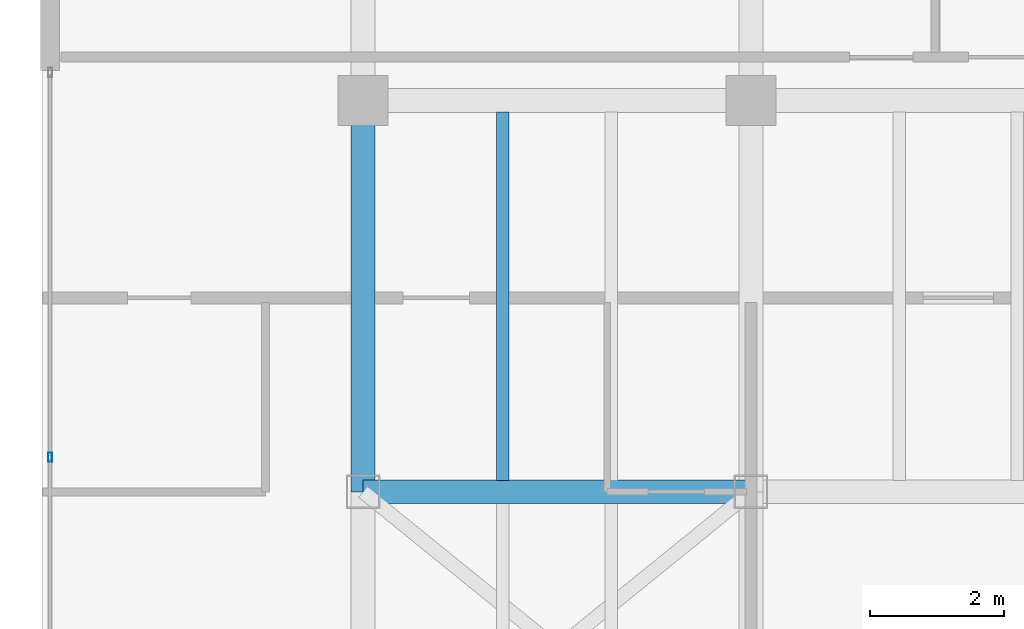
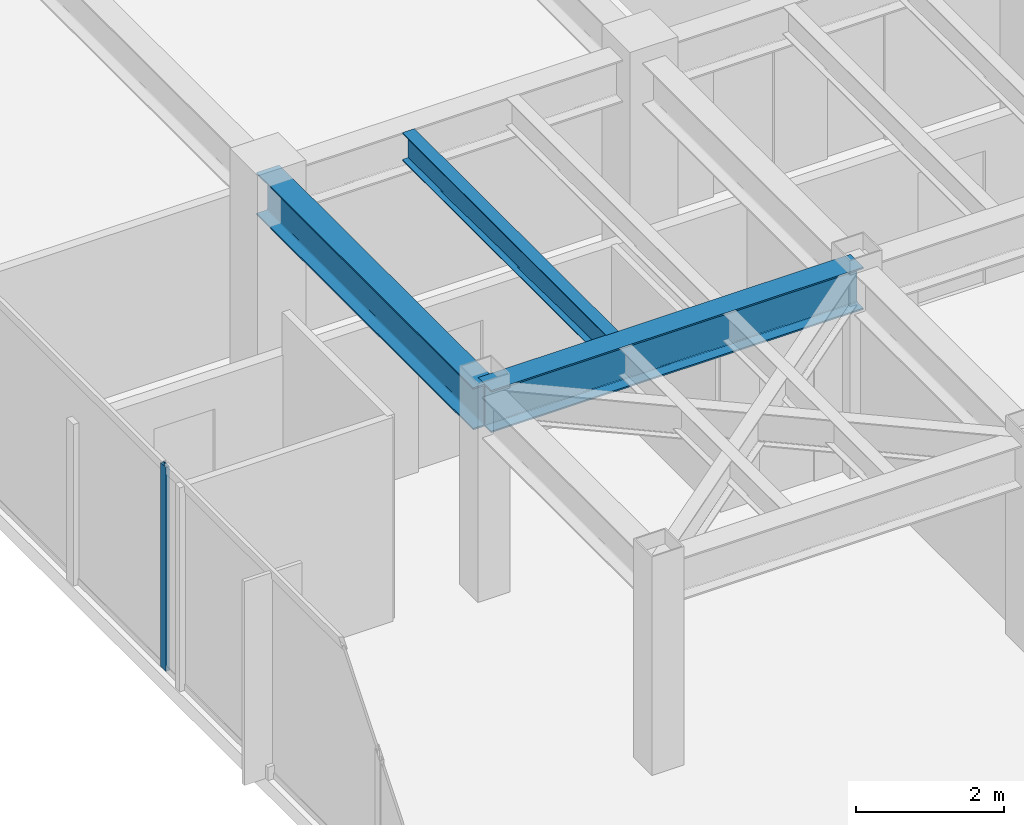
# One storey, part 4 of 19: 3 beams, 1 member, 1 element without a shape of its own.
"""IFC4 building model written with IfcOpenShell, lengths in metres."""

from ifc_helpers import new_model, si_unit, direction, frame, origin, origin_2d, place, context, subcontext, project, spatial, hollow_rectangle, i_section, extrude, material, layer, layer_set, material_profile, profile_set, type_object, element, aggregate, save


model = new_model("IFC4")

# Units and contexts
model_context = context("Model", 3, precision=1e-05, world=origin(), true_north=direction((0.0, 1.0)))
body_context = subcontext(model_context, "Body", "Model", "MODEL_VIEW")
ifc_project = project(units=[si_unit("LENGTHUNIT", "METRE"), si_unit("AREAUNIT", "SQUARE_METRE"), si_unit("VOLUMEUNIT", "CUBIC_METRE"), si_unit("PLANEANGLEUNIT", "RADIAN"), si_unit("MASSUNIT", "GRAM", prefix="KILO")], contexts=[model_context])

# Site, building, storey
site_placement = place(None, origin())
site = spatial("IfcSite", under=ifc_project, at=site_placement, CompositionType="ELEMENT")
building_placement = place(site_placement, origin())
building = spatial("IfcBuilding", under=site, at=building_placement, Name="Kravanh Interchange Tower", CompositionType="ELEMENT")
storey_placement = place(building_placement, frame((0.0, 0.0, 267.0)))
storey = spatial("IfcBuildingStorey", under=building, at=storey_placement, Name="L65", CompositionType="ELEMENT", Elevation=267.0)

# Curtain wall, member
ifc_material_1 = material(Name="Anodised Bronze Aluminium", Category="aluminium")
ifc_layer = layer(ifc_material_1, 0.179931640625)
ifc_layer_set = layer_set([ifc_layer], Name="Unitised Curtain Wall System CW-HTL Luxury Hotel")
curtain_wall_type = type_object("IfcCurtainWallType", Name="Unitised Curtain Wall System CW-HTL Luxury Hotel", PredefinedType="NOTDEFINED", material=ifc_layer_set)
curtain_wall_placement = place(storey_placement, origin())
curtain_wall = element("IfcCurtainWall", 1, at=curtain_wall_placement, inside=storey, type_object=curtain_wall_type, Name="L65 Unitised Curtain Wall CW-L65-01", PredefinedType="NOTDEFINED")
ifc_material_2 = material(Name="Anodised Bronze Aluminium", Category="aluminium")
ifc_material_profile_1 = material_profile(ifc_material_2, hollow_rectangle(XDim=0.06005859375, YDim=0.139892578125, WallThickness=0.00390625, at=origin_2d()), Name="ALU60X140X4")
ifc_profile_set_1 = profile_set([ifc_material_profile_1], Name="Anodised Bronze Aluminium")
member_type = type_object("IfcMemberType", Name="Curtain Wall Mullion ALU60X140X4 Bronze", PredefinedType="MULLION", material=ifc_profile_set_1)
member_placement = place(storey_placement, frame((28.1201171875, 32.0166015625, 0.0), z_axis=(0.0, 0.0, 1.0), x_axis=(-1.0, 0.0, 0.0)))
member = element("IfcMember", 2, at=member_placement, type_object=member_type, Name="CW-HTL mullion 3", PredefinedType="MULLION", context=body_context, shape_type="SweptSolid", body=[
    extrude(hollow_rectangle(XDim=0.06005859375, YDim=0.139892578125, WallThickness=0.00390625, at=origin_2d()), origin(), (0.0, 0.0, 1.0), 3.360107421875),
])
aggregate(curtain_wall, [member])

# Beams
ifc_material_3 = material(Name="Structural Steel S355", Category="steel")
ifc_material_profile_2 = material_profile(ifc_material_3, i_section(OverallWidth=0.35498046875, OverallDepth=0.696044921875, WebThickness=0.015380859375, FlangeThickness=0.02490234375, FilletRadius=0.02392578125, at=origin_2d()), Name="W27X146")
ifc_profile_set_2 = profile_set([ifc_material_profile_2], Name="Structural Steel S355")
beam_type_1 = type_object("IfcBeamType", Name="Floor Beam W27X146 Structural Steel S355", PredefinedType="BEAM", material=ifc_profile_set_2)
beam_1_placement = place(storey_placement, frame((38.60009765625, 31.5, 3.011962890625), z_axis=(-1.0, 0.0, 0.0), x_axis=(0.0, -1.0, 0.0)))
element("IfcBeam", 3, at=beam_1_placement, inside=storey, type_object=beam_type_1, Name="L65 Primary Floor Girder 18", PredefinedType="BEAM", context=body_context, shape_type="SweptSolid", body=[
    extrude(i_section(OverallWidth=0.35498046875, OverallDepth=0.696044921875, WebThickness=0.015380859375, FlangeThickness=0.02490234375, FilletRadius=0.02392578125, at=origin_2d()), origin(), (0.0, 0.0, 1.0), 5.800048828125),
])
beam_2_placement = place(storey_placement, frame((32.800048828125, 31.5, 3.011962890625), z_axis=(0.0, 1.0, 0.0), x_axis=(-1.0, 0.0, 0.0)))
element("IfcBeam", 4, at=beam_2_placement, inside=storey, type_object=beam_type_1, Name="L65 Primary Floor Girder 22", PredefinedType="BEAM", context=body_context, shape_type="SweptSolid", body=[
    extrude(i_section(OverallWidth=0.35498046875, OverallDepth=0.696044921875, WebThickness=0.015380859375, FlangeThickness=0.02490234375, FilletRadius=0.02392578125, at=origin_2d()), origin(), (0.0, 0.0, 1.0), 5.85009765625),
])
ifc_material_4 = material(Name="Structural Steel S355", Category="steel")
ifc_material_profile_3 = material_profile(ifc_material_4, i_section(OverallWidth=0.18994140625, OverallDepth=0.45703125, WebThickness=0.009033203125, FlangeThickness=0.014404296875, FilletRadius=0.01806640625, at=origin_2d()), Name="W18X50")
ifc_profile_set_3 = profile_set([ifc_material_profile_3], Name="Structural Steel S355")
beam_type_2 = type_object("IfcBeamType", Name="Floor Joist W18X50 Structural Steel S355", PredefinedType="JOIST", material=ifc_profile_set_3)
beam_3_placement = place(storey_placement, frame((34.889892578125, 31.672607421875, 3.131591796875), z_axis=(0.0, 1.0, 0.0), x_axis=(-1.0, 0.0, 0.0)))
element("IfcBeam", 5, at=beam_3_placement, inside=storey, type_object=beam_type_2, Name="L65 Secondary Floor Joist 9", PredefinedType="JOIST", context=body_context, shape_type="SweptSolid", body=[
    extrude(i_section(OverallWidth=0.18994140625, OverallDepth=0.45703125, WebThickness=0.009033203125, FlangeThickness=0.014404296875, FilletRadius=0.01806640625, at=origin_2d()), origin(), (0.0, 0.0, 1.0), 5.5048828125),
])

save(model, "model.ifc")
